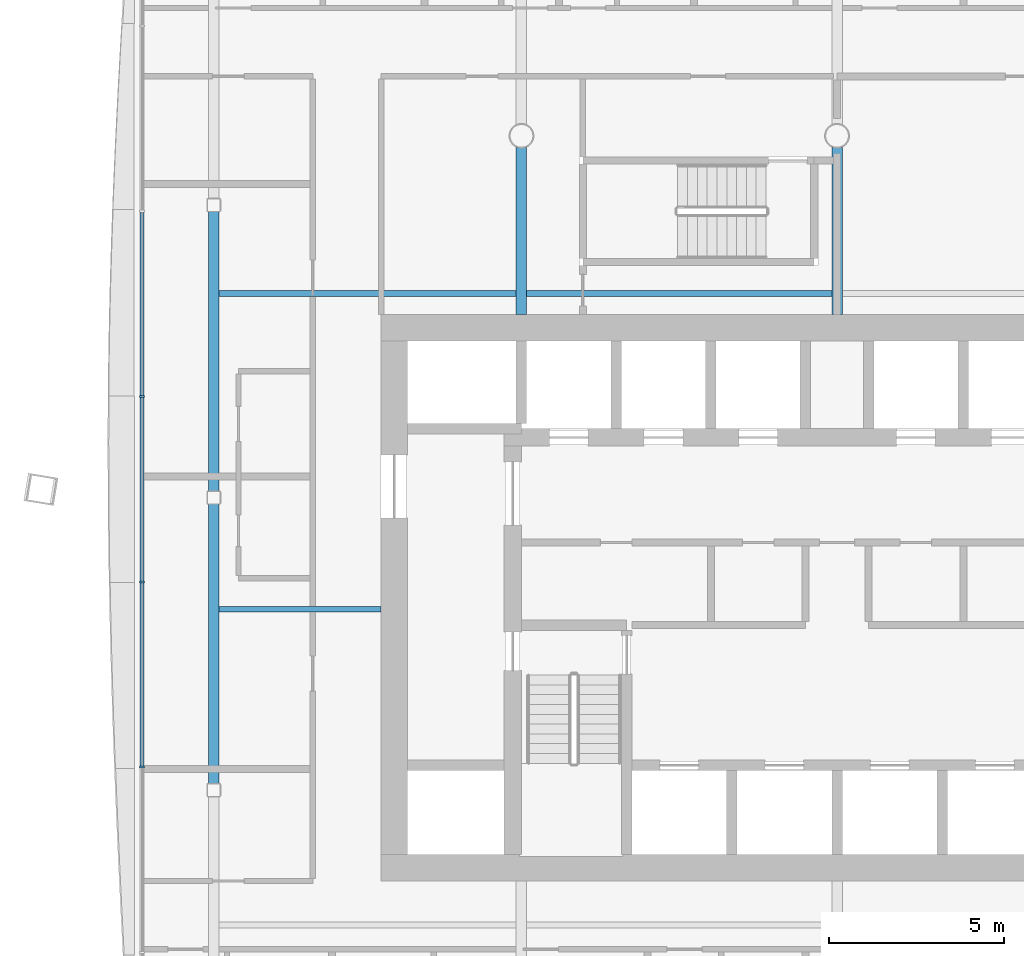
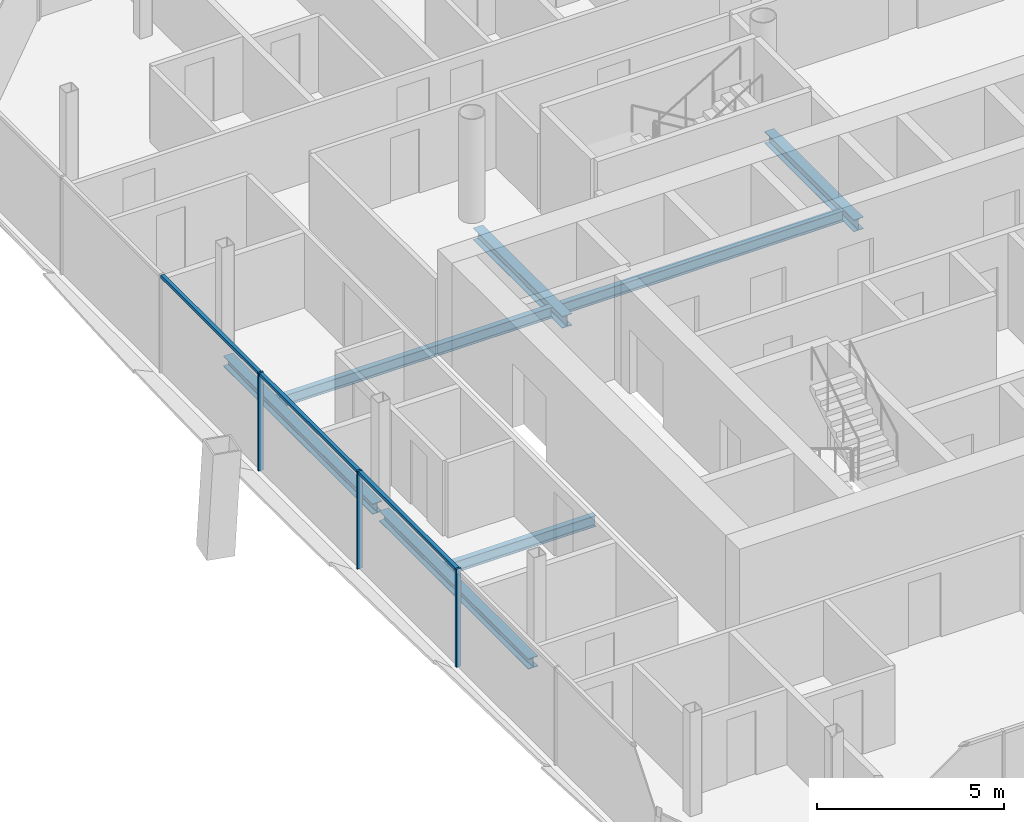
# One storey, part 5 of 21: 7 beams, 6 members, 1 element without a shape of its own.
"""IFC4 building model written with IfcOpenShell, lengths in metres."""

from ifc_helpers import new_model, si_unit, direction, frame, origin, origin_2d, place, context, subcontext, project, spatial, rectangle, i_section, extrude, material, material_profile, profile_set, type_object, element, aggregate, save


model = new_model("IFC4")

# Units and contexts
model_context = context("Model", 3, precision=1e-05, world=origin(), true_north=direction((0.0, 1.0)))
body_context = subcontext(model_context, "Body", "Model", "MODEL_VIEW")
ifc_project = project(units=[si_unit("LENGTHUNIT", "METRE"), si_unit("AREAUNIT", "SQUARE_METRE"), si_unit("VOLUMEUNIT", "CUBIC_METRE"), si_unit("PLANEANGLEUNIT", "RADIAN"), si_unit("MASSUNIT", "GRAM", prefix="KILO")], contexts=[model_context])

# Site, building, storey
site_placement = place(None, origin())
site = spatial("IfcSite", under=ifc_project, at=site_placement, CompositionType="ELEMENT")
building_placement = place(site_placement, origin())
building = spatial("IfcBuilding", under=site, at=building_placement, Name="Tskaro Facet Tower", CompositionType="ELEMENT")
storey_placement = place(building_placement, frame((0.0, 0.0, 135.10009765625)))
storey = spatial("IfcBuildingStorey", under=building, at=storey_placement, Name="L32", CompositionType="ELEMENT", Elevation=135.10009765625)

# Curtain wall, members
ifc_material_1 = material(Name="Bronze anodised aluminium 6063-T6", Category="aluminium")
curtain_wall_type = type_object("IfcCurtainWallType", Name="Bronze hotel curtain wall (FW2)", PredefinedType="NOTDEFINED", material=ifc_material_1)
curtain_wall_placement = place(storey_placement, origin())
curtain_wall = element("IfcCurtainWall", 1, at=curtain_wall_placement, inside=storey, type_object=curtain_wall_type, Name="FW2 west facet L32", PredefinedType="NOTDEFINED")
ifc_material_profile_1 = material_profile(ifc_material_1, rectangle(XDim=0.06005859375, YDim=0.14990234375, at=origin_2d()), Name="Mullion 60x150")
ifc_profile_set_1 = profile_set([ifc_material_profile_1], Name="Bronze anodised aluminium 6063-T6")
member_type_1 = type_object("IfcMemberType", Name="FW2 bronze mullion 60x150", PredefinedType="MULLION", material=ifc_profile_set_1)
member_1_placement = place(storey_placement, frame((-19.820068359375, 1.566650390625, 0.0), z_axis=(0.0, 0.0, 1.0), x_axis=(0.0, -1.0, 0.0)))
member_1 = element("IfcMember", 2, at=member_1_placement, type_object=member_type_1, Name="FW2 west mullion 3", PredefinedType="MULLION", context=body_context, shape_type="SweptSolid", body=[
    extrude(rectangle(XDim=0.06005859375, YDim=0.14990234375, at=origin_2d()), origin(), (0.0, 0.0, 1.0), 3.199951171875),
])
member_2_placement = place(storey_placement, frame((-19.820068359375, -3.718505859375, 0.0), z_axis=(0.0, 0.0, 1.0), x_axis=(0.0, -1.0, 0.0)))
member_2 = element("IfcMember", 3, at=member_2_placement, type_object=member_type_1, Name="FW2 west mullion 4", PredefinedType="MULLION", context=body_context, shape_type="SweptSolid", body=[
    extrude(rectangle(XDim=0.06005859375, YDim=0.14990234375, at=origin_2d()), origin(), (0.0, 0.0, 1.0), 3.199951171875),
])
member_3_placement = place(storey_placement, frame((-19.820068359375, -9.003662109375, 0.0), z_axis=(0.0, 0.0, 1.0), x_axis=(0.0, -1.0, 0.0)))
member_3 = element("IfcMember", 4, at=member_3_placement, type_object=member_type_1, Name="FW2 west mullion 5", PredefinedType="MULLION", context=body_context, shape_type="SweptSolid", body=[
    extrude(rectangle(XDim=0.06005859375, YDim=0.14990234375, at=origin_2d()), origin(), (0.0, 0.0, 1.0), 3.199951171875),
])
ifc_material_profile_2 = material_profile(ifc_material_1, rectangle(XDim=0.110107421875, YDim=0.10009765625, at=origin_2d()), Name="Transom 110x100")
ifc_profile_set_2 = profile_set([ifc_material_profile_2], Name="Bronze anodised aluminium 6063-T6")
member_type_2 = type_object("IfcMemberType", Name="FW2 bronze transom 110x100", PredefinedType="USERDEFINED", material=ifc_profile_set_2)
member_4_placement = place(storey_placement, frame((-19.820068359375, 6.82177734375, 3.14990234375), z_axis=(0.0, -1.0, 0.0), x_axis=(1.0, 0.0, 0.0)))
member_4 = element("IfcMember", 5, at=member_4_placement, type_object=member_type_2, Name="FW2 west transom 3.1", ObjectType="TRANSOM", PredefinedType="USERDEFINED", context=body_context, shape_type="SweptSolid", body=[
    extrude(rectangle(XDim=0.110107421875, YDim=0.10009765625, at=origin_2d()), origin(), (0.0, 0.0, 1.0), 5.22509765625),
])
member_5_placement = place(storey_placement, frame((-19.820068359375, 1.53662109375, 3.14990234375), z_axis=(0.0, -1.0, 0.0), x_axis=(1.0, 0.0, 0.0)))
member_5 = element("IfcMember", 6, at=member_5_placement, type_object=member_type_2, Name="FW2 west transom 4.1", ObjectType="TRANSOM", PredefinedType="USERDEFINED", context=body_context, shape_type="SweptSolid", body=[
    extrude(rectangle(XDim=0.110107421875, YDim=0.10009765625, at=origin_2d()), origin(), (0.0, 0.0, 1.0), 5.22509765625),
])
member_6_placement = place(storey_placement, frame((-19.820068359375, -3.74853515625, 3.14990234375), z_axis=(0.0, -1.0, 0.0), x_axis=(1.0, 0.0, 0.0)))
member_6 = element("IfcMember", 7, at=member_6_placement, type_object=member_type_2, Name="FW2 west transom 5.1", ObjectType="TRANSOM", PredefinedType="USERDEFINED", context=body_context, shape_type="SweptSolid", body=[
    extrude(rectangle(XDim=0.110107421875, YDim=0.10009765625, at=origin_2d()), origin(), (0.0, 0.0, 1.0), 5.22509765625),
])
aggregate(curtain_wall, [member_1, member_2, member_3, member_4, member_5, member_6])

# Beams
ifc_material_2 = material(Name="Steel S355J2", Category="steel")
ifc_material_profile_3 = material_profile(ifc_material_2, i_section(OverallWidth=0.300048828125, OverallDepth=0.340087890625, WebThickness=0.011962890625, FlangeThickness=0.021484375, FilletRadius=0.027099609375, at=origin_2d()), Name="HE 340 B")
ifc_profile_set_3 = profile_set([ifc_material_profile_3], Name="Steel S355J2")
beam_type_1 = type_object("IfcBeamType", Name="HE 340 B ring beam", PredefinedType="BEAM", material=ifc_profile_set_3)
beam_1_placement = place(storey_placement, frame((-17.77392578125, 6.845947265625, -0.31005859375), z_axis=(0.0, -1.0, 0.0), x_axis=(1.0, 0.0, 0.0)))
element("IfcBeam", 8, at=beam_1_placement, inside=storey, type_object=beam_type_1, Name="HE 340 B EB17-3", PredefinedType="BEAM", context=body_context, shape_type="SweptSolid", body=[
    extrude(i_section(OverallWidth=0.300048828125, OverallDepth=0.340087890625, WebThickness=0.011962890625, FlangeThickness=0.021484375, FilletRadius=0.027099609375, at=origin_2d()), origin(), (0.0, 0.0, 1.0), 7.98095703125),
])
beam_2_placement = place(storey_placement, frame((-17.77392578125, -1.4951171875, -0.31005859375), z_axis=(0.0, -1.0, 0.0), x_axis=(1.0, 0.0, 0.0)))
element("IfcBeam", 9, at=beam_2_placement, inside=storey, type_object=beam_type_1, Name="HE 340 B EB18-3", PredefinedType="BEAM", context=body_context, shape_type="SweptSolid", body=[
    extrude(i_section(OverallWidth=0.300048828125, OverallDepth=0.340087890625, WebThickness=0.011962890625, FlangeThickness=0.021484375, FilletRadius=0.027099609375, at=origin_2d()), origin(), (0.0, 0.0, 1.0), 7.98193359375),
])
ifc_material_profile_4 = material_profile(ifc_material_2, i_section(OverallWidth=0.300048828125, OverallDepth=0.389892578125, WebThickness=0.010986328125, FlangeThickness=0.01904296875, FilletRadius=0.027099609375, at=origin_2d()), Name="HE 400 A")
ifc_profile_set_4 = profile_set([ifc_material_profile_4], Name="Steel S355J2")
beam_type_2 = type_object("IfcBeamType", Name="HE 400 A girder", PredefinedType="BEAM", material=ifc_profile_set_4)
for number, where, z_axis, x_axis, name in (
    (10, (-9.0, 3.89990234375, -0.335205078125), (0.0, 1.0, 0.0), (-1.0, 0.0, 0.0), "HE 400 A GB3-2-3"),
    (11, (0.0, 3.89990234375, -0.335205078125), (0.0, 1.0, 0.0), (-1.0, 0.0, 0.0), "HE 400 A GB4-2-3"),
):
    element("IfcBeam", number, at=place(storey_placement, frame(where, z_axis=z_axis, x_axis=x_axis)), inside=storey, type_object=beam_type_2, Name=name, PredefinedType="BEAM", context=body_context, shape_type="SweptSolid", body=[
        extrude(i_section(OverallWidth=0.300048828125, OverallDepth=0.389892578125, WebThickness=0.010986328125, FlangeThickness=0.01904296875, FilletRadius=0.027099609375, at=origin_2d()), origin(), (0.0, 0.0, 1.0), 4.774658203125),
    ])
ifc_material_profile_5 = material_profile(ifc_material_2, i_section(OverallWidth=0.169921875, OverallDepth=0.360107421875, WebThickness=0.008056640625, FlangeThickness=0.0126953125, FilletRadius=0.01806640625, at=origin_2d()), Name="IPE 360")
ifc_profile_set_5 = profile_set([ifc_material_profile_5], Name="Steel S355J2")
beam_type_3 = type_object("IfcBeamType", Name="IPE 360 secondary beam", PredefinedType="BEAM", material=ifc_profile_set_5)
beam_3_placement = place(storey_placement, frame((-17.6240234375, -4.5, -0.320068359375), z_axis=(1.0, 0.0, 0.0), x_axis=(0.0, 1.0, 0.0)))
element("IfcBeam", 12, at=beam_3_placement, inside=storey, type_object=beam_type_3, Name="IPE 360 SB3a-1-3", PredefinedType="BEAM", context=body_context, shape_type="SweptSolid", body=[
    extrude(i_section(OverallWidth=0.169921875, OverallDepth=0.360107421875, WebThickness=0.008056640625, FlangeThickness=0.0126953125, FilletRadius=0.01806640625, at=origin_2d()), origin(), (0.0, 0.0, 1.0), 4.6240234375),
])
beam_4_placement = place(storey_placement, frame((-17.6240234375, 4.5, -0.320068359375), z_axis=(1.0, 0.0, 0.0), x_axis=(0.0, 1.0, 0.0)))
element("IfcBeam", 13, at=beam_4_placement, inside=storey, type_object=beam_type_3, Name="IPE 360 SB4a-1-3", PredefinedType="BEAM", context=body_context, shape_type="SweptSolid", body=[
    extrude(i_section(OverallWidth=0.169921875, OverallDepth=0.360107421875, WebThickness=0.008056640625, FlangeThickness=0.0126953125, FilletRadius=0.01806640625, at=origin_2d()), origin(), (0.0, 0.0, 1.0), 8.47412109375),
])
beam_5_placement = place(storey_placement, frame((-8.85009765625, 4.5, -0.320068359375), z_axis=(1.0, 0.0, 0.0), x_axis=(0.0, 1.0, 0.0)))
element("IfcBeam", 14, at=beam_5_placement, inside=storey, type_object=beam_type_3, Name="IPE 360 SB4a-2-3", PredefinedType="BEAM", context=body_context, shape_type="SweptSolid", body=[
    extrude(i_section(OverallWidth=0.169921875, OverallDepth=0.360107421875, WebThickness=0.008056640625, FlangeThickness=0.0126953125, FilletRadius=0.01806640625, at=origin_2d()), origin(), (0.0, 0.0, 1.0), 8.7001953125),
])

save(model, "model.ifc")
